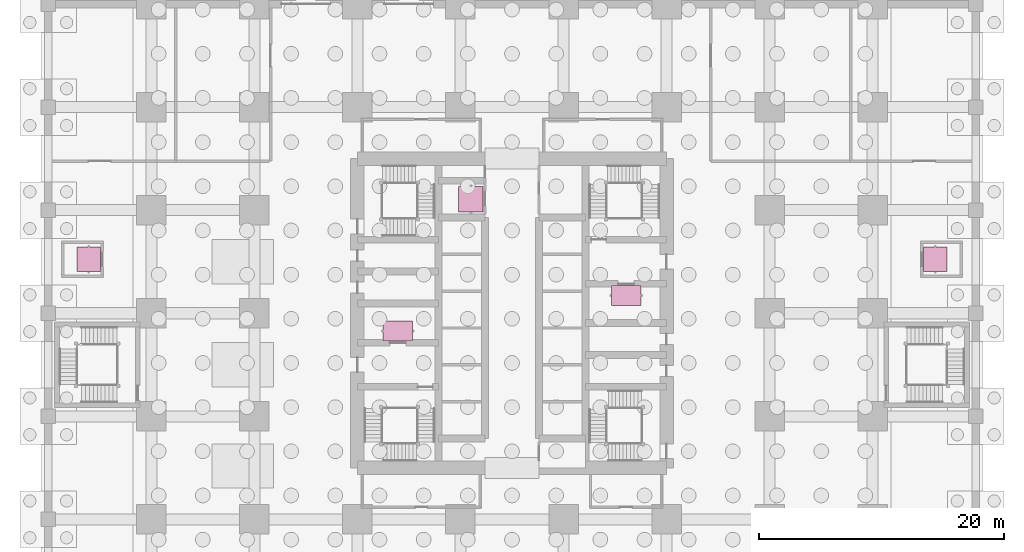
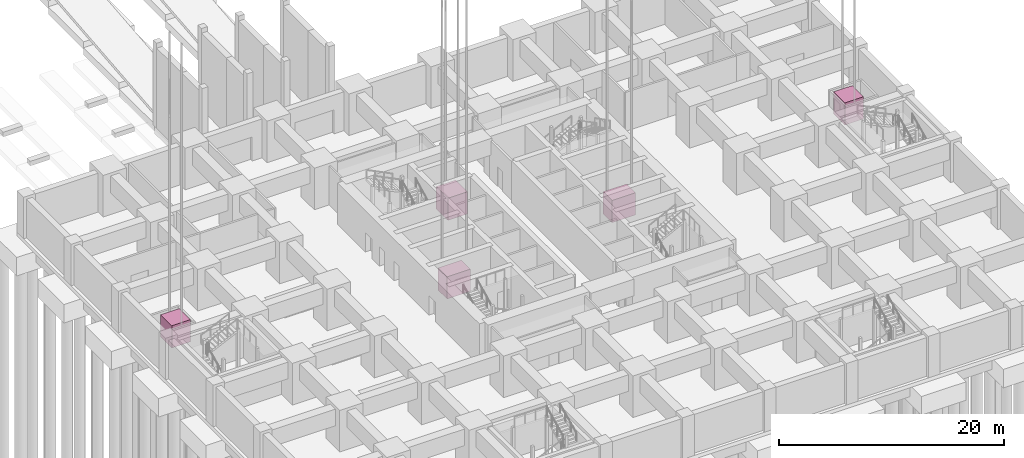
# One storey, part 19 of 28: 5 transport elements.
"""IFC4 building model written with IfcOpenShell, lengths in metres."""

from ifc_helpers import new_model, si_unit, direction, frame, origin, origin_2d, place, context, subcontext, project, spatial, rectangle, extrude, material, type_object, element, save


model = new_model("IFC4")

# Units and contexts
model_context = context("Model", 3, precision=1e-05, world=origin(), true_north=direction((0.0, 1.0)))
body_context = subcontext(model_context, "Body", "Model", "MODEL_VIEW")
ifc_project = project(units=[si_unit("LENGTHUNIT", "METRE"), si_unit("AREAUNIT", "SQUARE_METRE"), si_unit("VOLUMEUNIT", "CUBIC_METRE"), si_unit("PLANEANGLEUNIT", "RADIAN"), si_unit("MASSUNIT", "GRAM", prefix="KILO")], contexts=[model_context])

# Site, building, storey
site_placement = place(None, origin())
site = spatial("IfcSite", under=ifc_project, at=site_placement, CompositionType="ELEMENT")
building_placement = place(site_placement, origin())
building = spatial("IfcBuilding", under=site, at=building_placement, Name="Rekha Terrace Tower", CompositionType="ELEMENT")
storey_placement = place(building_placement, frame((0.0, 0.0, -9.89990234375)))
storey = spatial("IfcBuildingStorey", under=building, at=storey_placement, Name="B-02", CompositionType="ELEMENT", Elevation=-9.89990234375)

# Transport elements
ifc_material = material(Name="Steel car with stainless steel lining", Category="steel")
transport_element_type_1 = type_object("IfcTransportElementType", Name="LA1 1600 kg accessible podium lift", PredefinedType="ELEVATOR", material=ifc_material)
for number, where, z_axis, x_axis, name in (
    (1, (3.300048828125, 38.0, 0.0), (0.0, 0.0, 1.0), (1.0, 0.0, 0.0), "Lift PL1"),
    (2, (72.300048828125, 38.0, 0.0), (0.0, 0.0, 1.0), (1.0, 0.0, 0.0), "Lift PL2"),
):
    element("IfcTransportElement", number, at=place(storey_placement, frame(where, z_axis=z_axis, x_axis=x_axis)), inside=storey, type_object=transport_element_type_1, Name=name, PredefinedType="ELEVATOR", context=body_context, shape_type="SweptSolid", body=[
        extrude(rectangle(XDim=1.89990234375, YDim=2.0, at=origin_2d()), origin(), (0.0, 0.0, 1.0), 2.39990234375),
    ])
transport_element_type_2 = type_object("IfcTransportElementType", Name="LF1 1600 kg firefighting and stretcher lift", PredefinedType="ELEVATOR", material=ifc_material)
for number, where, z_axis, x_axis, name in (
    (3, (28.5, 32.14990234375, 0.0), (0.0, 0.0, 1.0), (1.0, 0.0, 0.0), "Lift FL1"),
    (4, (47.10009765625, 35.050048828125, 0.0), (0.0, 0.0, 1.0), (1.0, 0.0, 0.0), "Lift FL2"),
):
    element("IfcTransportElement", number, at=place(storey_placement, frame(where, z_axis=z_axis, x_axis=x_axis)), inside=storey, type_object=transport_element_type_2, Name=name, PredefinedType="ELEVATOR", context=body_context, shape_type="SweptSolid", body=[
        extrude(rectangle(XDim=2.39990234375, YDim=1.60009765625, at=origin_2d()), origin(), (0.0, 0.0, 1.0), 2.39990234375),
    ])
transport_element_type_3 = type_object("IfcTransportElementType", Name="LG1 2000 kg service lift", PredefinedType="ELEVATOR", material=ifc_material)
transport_element_placement = place(storey_placement, frame((34.449951171875, 42.89990234375, 0.0), z_axis=(0.0, 0.0, 1.0), x_axis=(1.0, 0.0, 0.0)))
element("IfcTransportElement", 5, at=transport_element_placement, inside=storey, type_object=transport_element_type_3, Name="Lift SV1", PredefinedType="ELEVATOR", context=body_context, shape_type="SweptSolid", body=[
    extrude(rectangle(XDim=2.0, YDim=2.10009765625, at=origin_2d()), origin(), (0.0, 0.0, 1.0), 2.39990234375),
])

save(model, "model.ifc")
